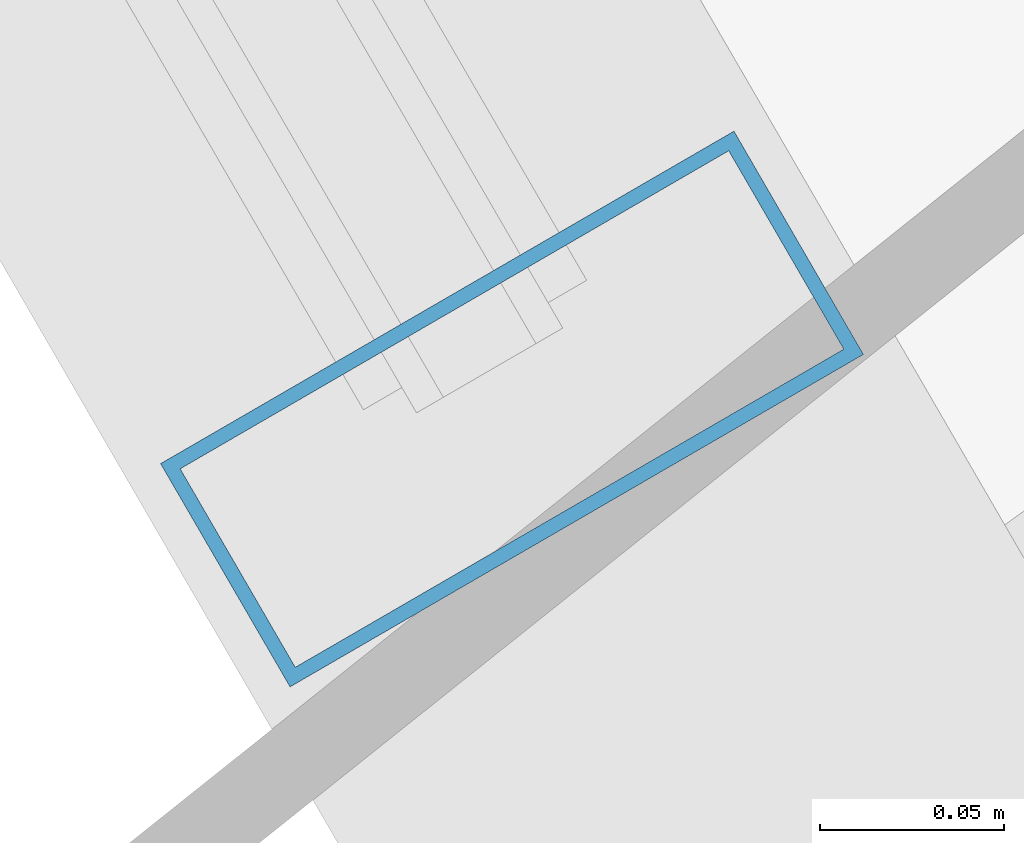
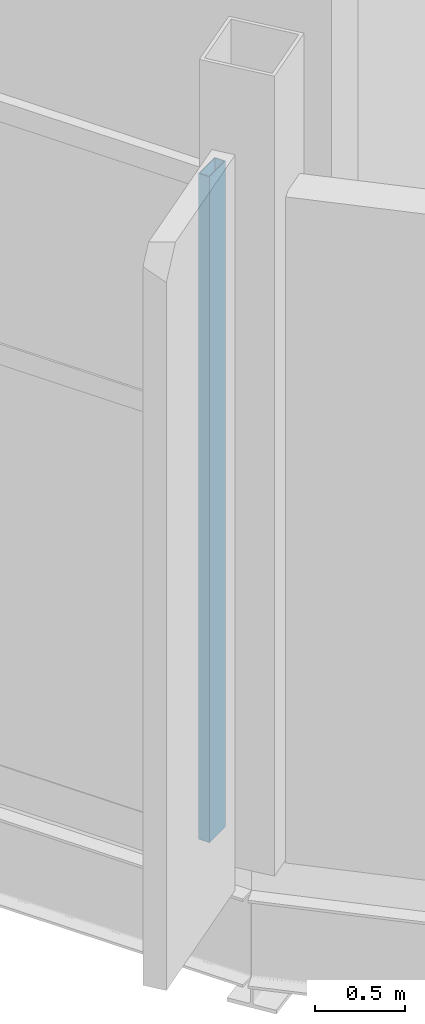
# One storey, part 12 of 186: 1 member, 1 element without a shape of its own.
"""IFC4 building model written with IfcOpenShell, lengths in metres."""

from ifc_helpers import new_model, si_unit, direction, frame, origin, origin_2d, place, context, subcontext, project, spatial, hollow_rectangle, extrude, material, layer, layer_set, material_profile, profile_set, type_object, element, aggregate, save


model = new_model("IFC4")

# Units and contexts
model_context = context("Model", 3, precision=1e-05, world=origin(), true_north=direction((0.0, 1.0)))
body_context = subcontext(model_context, "Body", "Model", "MODEL_VIEW")
ifc_project = project(units=[si_unit("LENGTHUNIT", "METRE"), si_unit("AREAUNIT", "SQUARE_METRE"), si_unit("VOLUMEUNIT", "CUBIC_METRE"), si_unit("PLANEANGLEUNIT", "RADIAN"), si_unit("MASSUNIT", "GRAM", prefix="KILO")], contexts=[model_context])

# Site, building, storey
site_placement = place(None, origin())
site = spatial("IfcSite", under=ifc_project, at=site_placement, CompositionType="ELEMENT")
building_placement = place(site_placement, origin())
building = spatial("IfcBuilding", under=site, at=building_placement, Name="Kazemori Nagisa Stadium", CompositionType="ELEMENT")
storey_placement = place(building_placement, frame((0.0, 0.0, 20.39990234375)))
storey = spatial("IfcBuildingStorey", under=building, at=storey_placement, Name="L04", CompositionType="ELEMENT", Elevation=20.39990234375)

# Curtain wall, member
ifc_material_1 = material(Name="Anodised aluminium 6063-T5", Category="aluminium")
ifc_layer = layer(ifc_material_1, 0.179931640625, Name="Anodised aluminium 6063-T5", Category="aluminium")
ifc_layer_set = layer_set([ifc_layer], Name="Anodised aluminium 6063-T5")
curtain_wall_type = type_object("IfcCurtainWallType", Name="CW_L04R3_101", PredefinedType="USERDEFINED", material=ifc_layer_set)
curtain_wall_placement = place(storey_placement, origin())
curtain_wall = element("IfcCurtainWall", 1, at=curtain_wall_placement, inside=storey, type_object=curtain_wall_type, Name="Unitised curtain wall CW-L04R3-101 L04", ObjectType="UNITISED CURTAIN WALL", PredefinedType="USERDEFINED")
ifc_material_2 = material(Name="Aluminium 6063-T5 anodised", Category="aluminium")
ifc_material_profile = material_profile(ifc_material_2, hollow_rectangle(XDim=0.070068359375, YDim=0.179931640625, WallThickness=0.00390625, at=origin_2d()), Name="ALU-MULL-70x180x4")
ifc_profile_set = profile_set([ifc_material_profile], Name="Aluminium 6063-T5 anodised")
member_type = type_object("IfcMemberType", Name="Mullion_M01", PredefinedType="MULLION", material=ifc_profile_set)
member_placement = place(storey_placement, frame((44.376708984375, 45.552978515625, 0.0), z_axis=(0.0, 0.0, 1.0), x_axis=(0.501611590054, -0.865092950337, 0.0)))
member = element("IfcMember", 2, at=member_placement, type_object=member_type, Name="Curtain wall mullion CW-L04R3-101-M4", PredefinedType="MULLION", context=body_context, shape_type="SweptSolid", body=[
    extrude(hollow_rectangle(XDim=0.070068359375, YDim=0.179931640625, WallThickness=0.00390625, at=origin_2d()), origin(), (0.0, 0.0, 1.0), 4.530029296875),
])
aggregate(curtain_wall, [member])

save(model, "model.ifc")
